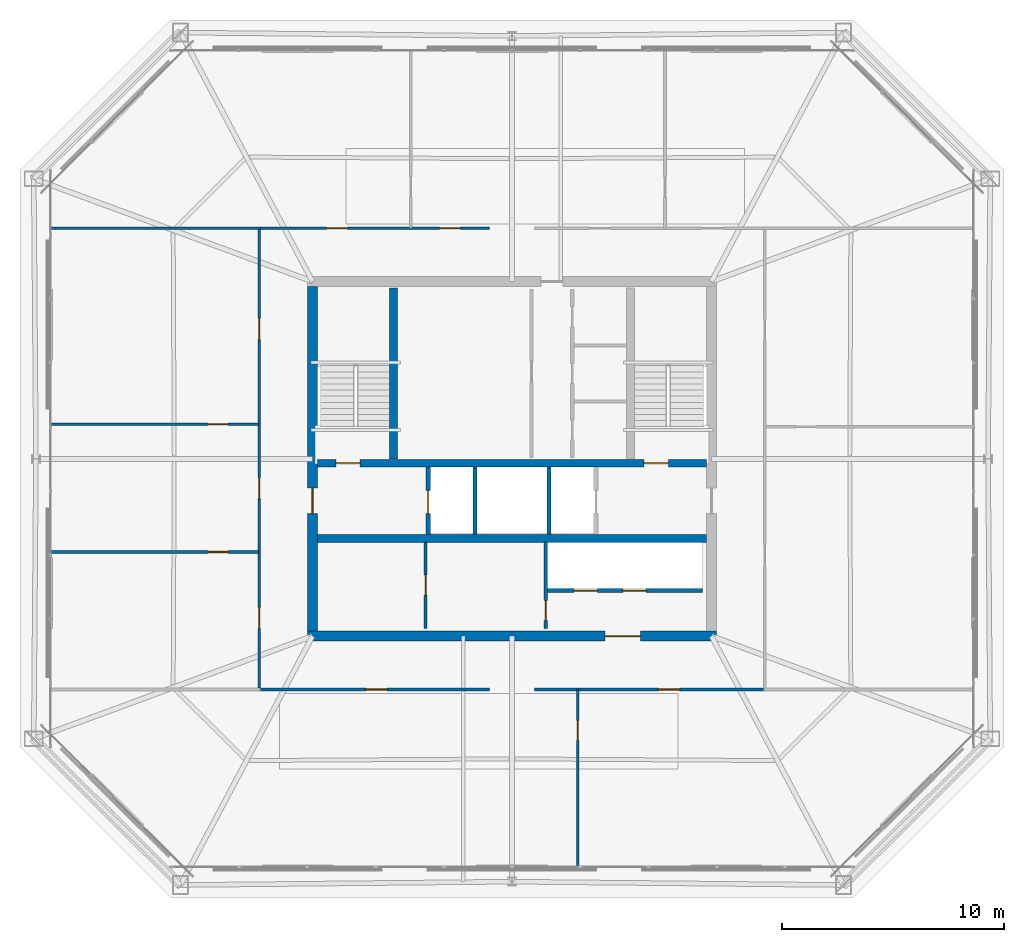
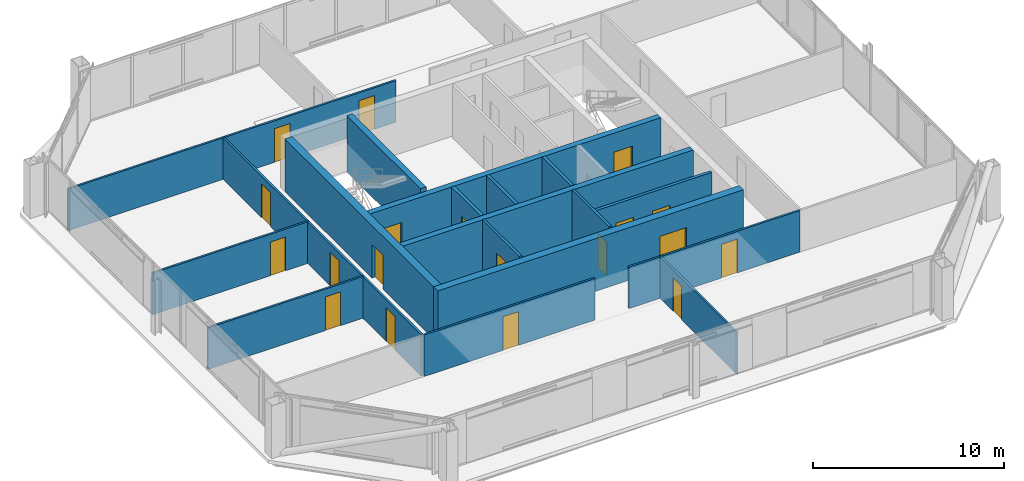
# One storey, part 35 of 39: 19 doors, 19 walls, 19 openings.
"""IFC4 building model written with IfcOpenShell, lengths in metres."""

from ifc_helpers import new_model, si_unit, direction, frame, frame_2d, origin, place, context, subcontext, project, spatial, rectangle, extrude, material, layer, layer_set, type_object, element, fill, save


model = new_model("IFC4")

# Units and contexts
model_context = context("Model", 3, precision=1e-05, world=origin(), true_north=direction((0.0, 1.0)))
body_context = subcontext(model_context, "Body", "Model", "MODEL_VIEW")
ifc_project = project(units=[si_unit("LENGTHUNIT", "METRE"), si_unit("AREAUNIT", "SQUARE_METRE"), si_unit("VOLUMEUNIT", "CUBIC_METRE"), si_unit("PLANEANGLEUNIT", "RADIAN"), si_unit("MASSUNIT", "GRAM", prefix="KILO")], contexts=[model_context])

# Site, building, storey
site_placement = place(None, origin())
site = spatial("IfcSite", under=ifc_project, at=site_placement, CompositionType="ELEMENT")
building_placement = place(site_placement, origin())
building = spatial("IfcBuilding", under=site, at=building_placement, Name="Caelvoria Tower", CompositionType="ELEMENT")
storey_placement = place(building_placement, frame((0.0, 0.0, 198.60009765625)))
storey = spatial("IfcBuildingStorey", under=building, at=storey_placement, Name="L52", CompositionType="ELEMENT", Elevation=198.60009765625)

# Wall, openings, doors
ifc_material_1 = material(Name="Concrete C50/60", Category="concrete")
ifc_layer_1 = layer(ifc_material_1, 0.35009765625, Name="Concrete C50/60")
ifc_layer_set_1 = layer_set([ifc_layer_1], Name="Core Internal Shear Wall 350 - Concrete C50/60")
wall_type_1 = type_object("IfcWallType", Name="Core Internal Shear Wall 350", PredefinedType="SHEAR", material=ifc_layer_set_1)
wall_1_placement = place(storey_placement, frame((37.22509765625, 31.800048828125, 0.0), z_axis=(0.0, 0.0, 1.0), x_axis=(1.0, 0.0, 0.0)))
wall_1 = element("IfcWall", 1, at=wall_1_placement, inside=storey, type_object=wall_type_1, Name="Core Shear Wall L52 M1", PredefinedType="SHEAR", context=body_context, shape_type="SweptSolid", body=[
    extrude(rectangle(XDim=17.5498046875, YDim=0.35009765625, at=frame_2d((8.77490234375, 0.0))), origin(), (0.0, 0.0, 1.0), 3.35986328125),
])
opening_1_placement = place(wall_1_placement, frame((0.824951171875, 0.0, 0.0)))
opening_1 = element("IfcOpeningElement", 2, at=opening_1_placement, cuts=wall_1, Name="Opening ID-01", PredefinedType="OPENING", context=body_context, shape_type="SweptSolid", body=[
    extrude(rectangle(XDim=1.10009765625, YDim=2.14990234375, at=frame_2d((0.550048828125, 1.074951171875))), frame((0.0, 0.18505859375, 0.0), z_axis=(0.0, -1.0, 0.0), x_axis=(1.0, 0.0, 0.0)), (0.0, 0.0, 1.0), 0.3701171875),
])
opening_2_placement = place(wall_1_placement, frame((14.72509765625, 0.0, 0.0)))
opening_2 = element("IfcOpeningElement", 3, at=opening_2_placement, cuts=wall_1, Name="Opening ID-01", PredefinedType="OPENING", context=body_context, shape_type="SweptSolid", body=[
    extrude(rectangle(XDim=1.10009765625, YDim=2.14990234375, at=frame_2d((0.550048828125, 1.074951171875))), frame((0.0, 0.18505859375, 0.0), z_axis=(0.0, -1.0, 0.0), x_axis=(1.0, 0.0, 0.0)), (0.0, 0.0, 1.0), 0.3701171875),
])
ifc_material_2 = material(Name="Painted Hollow Steel Fire Door", Category="steel")
door_type_1 = type_object("IfcDoorType", Name="Fire Door FD90S 1100x2150", OperationType="NOTDEFINED", PredefinedType="DOOR", material=ifc_material_2)
door_1_placement = place(opening_1_placement, origin())
door_1 = element("IfcDoor", 4, at=door_1_placement, inside=storey, type_object=door_type_1, Name="Core Door DR-L52-ST1", OperationType="SINGLE_SWING_LEFT", OverallHeight=2.14990234375, OverallWidth=1.10009765625, PredefinedType="DOOR", context=body_context, shape_type="SweptSolid", body=[
    extrude(rectangle(XDim=1.10009765625, YDim=2.14990234375, at=frame_2d((0.550048828125, 1.074951171875))), frame((0.0, 0.02490234375, 0.0), z_axis=(0.0, -1.0, 0.0), x_axis=(1.0, 0.0, 0.0)), (0.0, 0.0, 1.0), 0.050048828125),
])
fill(opening_1, door_1)
door_2_placement = place(opening_2_placement, origin())
door_2 = element("IfcDoor", 5, at=door_2_placement, inside=storey, type_object=door_type_1, Name="Core Door DR-L52-ST2", OperationType="SINGLE_SWING_RIGHT", OverallHeight=2.14990234375, OverallWidth=1.10009765625, PredefinedType="DOOR", context=body_context, shape_type="SweptSolid", body=[
    extrude(rectangle(XDim=1.10009765625, YDim=2.14990234375, at=frame_2d((0.550048828125, 1.074951171875))), frame((0.0, 0.02490234375, 0.0), z_axis=(0.0, -1.0, 0.0), x_axis=(1.0, 0.0, 0.0)), (0.0, 0.0, 1.0), 0.050048828125),
])
fill(opening_2, door_2)

# Walls
wall_2_placement = place(storey_placement, frame((37.22509765625, 28.39990234375, 0.0), z_axis=(0.0, 0.0, 1.0), x_axis=(1.0, 0.0, 0.0)))
element("IfcWall", 6, at=wall_2_placement, inside=storey, type_object=wall_type_1, Name="Core Shear Wall L52 M2", PredefinedType="SHEAR", context=body_context, shape_type="SweptSolid", body=[
    extrude(rectangle(XDim=17.5498046875, YDim=0.35009765625, at=frame_2d((8.77490234375, 0.0))), origin(), (0.0, 0.0, 1.0), 3.35986328125),
])
wall_3_placement = place(storey_placement, frame((40.64990234375, 32.0, 0.0), z_axis=(0.0, 0.0, 1.0), x_axis=(0.0, 1.0, 0.0)))
element("IfcWall", 7, at=wall_3_placement, inside=storey, type_object=wall_type_1, Name="Interior Partition IW-L52-ST1E", PredefinedType="SHEAR", context=body_context, shape_type="SweptSolid", body=[
    extrude(rectangle(XDim=7.699951171875, YDim=0.35009765625, at=frame_2d((3.85009765625, 0.0))), origin(), (0.0, 0.0, 1.0), 3.599853515625),
])

# Wall, opening, door
ifc_material_3 = material(Name="Double Gypsum Board on Steel Stud", Category="steel")
ifc_layer_2 = layer(ifc_material_3, 0.14990234375, Name="Double Gypsum Board on Steel Stud")
ifc_layer_set_2 = layer_set([ifc_layer_2], Name="Core Service Acoustic Partition Wall 150 - Double Gypsum Board on Steel Stud")
wall_type_2 = type_object("IfcWallType", Name="Core Service Acoustic Partition Wall 150", PredefinedType="PARTITIONING", material=ifc_layer_set_2)
wall_4_placement = place(storey_placement, frame((42.10009765625, 24.35009765625, 0.0), z_axis=(0.0, 0.0, 1.0), x_axis=(0.0, 1.0, 0.0)))
wall_4 = element("IfcWall", 8, at=wall_4_placement, inside=storey, type_object=wall_type_2, Name="Interior Partition IW-L52-RECL-MID", PredefinedType="PARTITIONING", context=body_context, shape_type="SweptSolid", body=[
    extrude(rectangle(XDim=3.89990234375, YDim=0.14990234375, at=frame_2d((1.949951171875, 0.0))), origin(), (0.0, 0.0, 1.0), 3.375),
])
opening_3_placement = place(wall_4_placement, frame((1.5, 0.0, 0.0)))
opening_3 = element("IfcOpeningElement", 9, at=opening_3_placement, cuts=wall_4, Name="Opening ID-06", PredefinedType="OPENING", context=body_context, shape_type="SweptSolid", body=[
    extrude(rectangle(XDim=0.89990234375, YDim=2.14990234375, at=frame_2d((0.449951171875, 1.074951171875))), frame((0.0, 0.0849609375, 0.0), z_axis=(0.0, -1.0, 0.0), x_axis=(1.0, 0.0, 0.0)), (0.0, 0.0, 1.0), 0.169921875),
])
ifc_material_4 = material(Name="Engineered Andean Oak Veneer Door", Category="wood")
door_type_2 = type_object("IfcDoorType", Name="Interior Timber Door 900x2150", OperationType="NOTDEFINED", PredefinedType="DOOR", material=ifc_material_4)
door_3_placement = place(opening_3_placement, origin())
door_3 = element("IfcDoor", 10, at=door_3_placement, inside=storey, type_object=door_type_2, Name="Interior Door DR-L52-RECL12", OperationType="SINGLE_SWING_LEFT", OverallHeight=2.14990234375, OverallWidth=0.89990234375, PredefinedType="DOOR", context=body_context, shape_type="SweptSolid", body=[
    extrude(rectangle(XDim=0.89990234375, YDim=2.14990234375, at=frame_2d((0.449951171875, 1.074951171875))), frame((0.0, 0.02490234375, 0.0), z_axis=(0.0, -1.0, 0.0), x_axis=(1.0, 0.0, 0.0)), (0.0, 0.0, 1.0), 0.050048828125),
])
fill(opening_3, door_3)

wall_5_placement = place(storey_placement, frame((47.52001953125, 24.35009765625, 0.0), z_axis=(0.0, 0.0, 1.0), x_axis=(0.0, 1.0, 0.0)))
wall_5 = element("IfcWall", 11, at=wall_5_placement, inside=storey, type_object=wall_type_2, Name="Interior Partition IW-L52-RECL2E", PredefinedType="PARTITIONING", context=body_context, shape_type="SweptSolid", body=[
    extrude(rectangle(XDim=3.89990234375, YDim=0.14990234375, at=frame_2d((1.949951171875, 0.0))), origin(), (0.0, 0.0, 1.0), 3.375),
])
opening_4_placement = place(wall_5_placement, frame((0.35009765625, 0.0, 0.0)))
opening_4 = element("IfcOpeningElement", 12, at=opening_4_placement, cuts=wall_5, Name="Opening ID-04", PredefinedType="OPENING", context=body_context, shape_type="SweptSolid", body=[
    extrude(rectangle(XDim=0.89990234375, YDim=2.14990234375, at=frame_2d((0.449951171875, 1.074951171875))), frame((0.0, 0.0849609375, 0.0), z_axis=(0.0, -1.0, 0.0), x_axis=(1.0, 0.0, 0.0)), (0.0, 0.0, 1.0), 0.169921875),
])
ifc_material_5 = material(Name="Acoustic Timber Fire Door", Category="wood")
door_type_3 = type_object("IfcDoorType", Name="Fire Door FD30S 900x2150", OperationType="NOTDEFINED", PredefinedType="DOOR", material=ifc_material_5)
door_4_placement = place(opening_4_placement, origin())
door_4 = element("IfcDoor", 13, at=door_4_placement, inside=storey, type_object=door_type_3, Name="Interior Door DR-L52-RECL2", OperationType="SINGLE_SWING_RIGHT", OverallHeight=2.14990234375, OverallWidth=0.89990234375, PredefinedType="DOOR", context=body_context, shape_type="SweptSolid", body=[
    extrude(rectangle(XDim=0.89990234375, YDim=2.14990234375, at=frame_2d((0.449951171875, 1.074951171875))), frame((0.0, 0.02490234375, 0.0), z_axis=(0.0, -1.0, 0.0), x_axis=(1.0, 0.0, 0.0)), (0.0, 0.0, 1.0), 0.050048828125),
])
fill(opening_4, door_4)

# Walls
ifc_material_6 = material(Name="Concrete Block and Fireboard Assembly", Category="concrete")
ifc_layer_3 = layer(ifc_material_6, 0.179931640625, Name="Concrete Block and Fireboard Assembly")
ifc_layer_set_3 = layer_set([ifc_layer_3], Name="Fire-Rated Hoistway Partition Wall 180 - Concrete Block and Fireboard Assembly")
wall_type_3 = type_object("IfcWallType", Name="Fire-Rated Hoistway Partition Wall 180", PredefinedType="PARTITIONING", material=ifc_layer_set_3)
for number, where, z_axis, x_axis, name in (
    (14, (44.320068359375, 28.580078125, 0.0), (0.0, 0.0, 1.0), (0.0, 1.0, 0.0), "Interior Partition IW-L52-SV1W"),
    (15, (47.679931640625, 28.580078125, 0.0), (0.0, 0.0, 1.0), (0.0, 1.0, 0.0), "Interior Partition IW-L52-SV1E"),
):
    element("IfcWall", number, at=place(storey_placement, frame(where, z_axis=z_axis, x_axis=x_axis)), inside=storey, type_object=wall_type_3, Name=name, PredefinedType="PARTITIONING", context=body_context, shape_type="SweptSolid", body=[
        extrude(rectangle(XDim=3.0400390625, YDim=0.179931640625, at=frame_2d((1.52001953125, 0.0))), origin(), (0.0, 0.0, 1.0), 3.375),
    ])

# Wall, openings, doors
wall_6_placement = place(storey_placement, frame((47.60009765625, 26.050048828125, 0.0), z_axis=(0.0, 0.0, 1.0), x_axis=(1.0, 0.0, 0.0)))
wall_6 = element("IfcWall", 16, at=wall_6_placement, inside=storey, type_object=wall_type_3, Name="Interior Partition IW-L52-LFRONT", PredefinedType="PARTITIONING", context=body_context, shape_type="SweptSolid", body=[
    extrude(rectangle(XDim=7.0, YDim=0.179931640625, at=frame_2d((3.5, 0.0))), origin(), (0.0, 0.0, 1.0), 3.375),
])
opening_5_placement = place(wall_6_placement, frame((1.199951171875, 0.0, 0.0)))
opening_5 = element("IfcOpeningElement", 17, at=opening_5_placement, cuts=wall_6, Name="Opening LD-01", PredefinedType="OPENING", context=body_context, shape_type="SweptSolid", body=[
    extrude(rectangle(XDim=1.050048828125, YDim=2.14990234375, at=frame_2d((0.52490234375, 1.074951171875))), frame((0.0, 0.099853515625, 0.0), z_axis=(0.0, -1.0, 0.0), x_axis=(1.0, 0.0, 0.0)), (0.0, 0.0, 1.0), 0.199951171875),
])
opening_6_placement = place(wall_6_placement, frame((3.39990234375, 0.0, 0.0)))
opening_6 = element("IfcOpeningElement", 18, at=opening_6_placement, cuts=wall_6, Name="Opening LD-01", PredefinedType="OPENING", context=body_context, shape_type="SweptSolid", body=[
    extrude(rectangle(XDim=1.050048828125, YDim=2.14990234375, at=frame_2d((0.52490234375, 1.074951171875))), frame((0.0, 0.099853515625, 0.0), z_axis=(0.0, -1.0, 0.0), x_axis=(1.0, 0.0, 0.0)), (0.0, 0.0, 1.0), 0.199951171875),
])
ifc_material_7 = material(Name="Brushed Bronze Stainless Sliding Landing Door", Category="aluminium")
door_type_4 = type_object("IfcDoorType", Name="Lift Landing Sliding Door 1100x2150", OperationType="NOTDEFINED", PredefinedType="DOOR", material=ifc_material_7)
door_5_placement = place(opening_5_placement, origin())
door_5 = element("IfcDoor", 19, at=door_5_placement, inside=storey, type_object=door_type_4, Name="Interior Door LD-L52-PH1", OperationType="SLIDING_TO_LEFT", OverallHeight=2.14990234375, OverallWidth=1.050048828125, PredefinedType="DOOR", context=body_context, shape_type="SweptSolid", body=[
    extrude(rectangle(XDim=1.050048828125, YDim=2.14990234375, at=frame_2d((0.52490234375, 1.074951171875))), frame((0.0, 0.02490234375, 0.0), z_axis=(0.0, -1.0, 0.0), x_axis=(1.0, 0.0, 0.0)), (0.0, 0.0, 1.0), 0.050048828125),
])
fill(opening_5, door_5)
door_6_placement = place(opening_6_placement, origin())
door_6 = element("IfcDoor", 20, at=door_6_placement, inside=storey, type_object=door_type_4, Name="Interior Door LD-L52-PH2", OperationType="SLIDING_TO_RIGHT", OverallHeight=2.14990234375, OverallWidth=1.050048828125, PredefinedType="DOOR", context=body_context, shape_type="SweptSolid", body=[
    extrude(rectangle(XDim=1.050048828125, YDim=2.14990234375, at=frame_2d((0.52490234375, 1.074951171875))), frame((0.0, 0.02490234375, 0.0), z_axis=(0.0, -1.0, 0.0), x_axis=(1.0, 0.0, 0.0)), (0.0, 0.0, 1.0), 0.050048828125),
])
fill(opening_6, door_6)

# Wall, opening, door
ifc_layer_4 = layer(ifc_material_6, 0.199951171875, Name="Concrete Block and Fireboard Assembly")
ifc_layer_set_4 = layer_set([ifc_layer_4], Name="Fire-Rated Shaft and Core Partition Wall 200 - Concrete Block and Fireboard Assembly")
wall_type_4 = type_object("IfcWallType", Name="Fire-Rated Shaft and Core Partition Wall 200", PredefinedType="PARTITIONING", material=ifc_layer_set_4)
wall_7_placement = place(storey_placement, frame((42.219970703125, 28.580078125, 0.0), z_axis=(0.0, 0.0, 1.0), x_axis=(0.0, 1.0, 0.0)))
wall_7 = element("IfcWall", 21, at=wall_7_placement, inside=storey, type_object=wall_type_4, Name="Interior Partition IW-L52-LF1W", PredefinedType="PARTITIONING", context=body_context, shape_type="SweptSolid", body=[
    extrude(rectangle(XDim=3.0400390625, YDim=0.199951171875, at=frame_2d((1.52001953125, 0.0))), origin(), (0.0, 0.0, 1.0), 3.375),
])
opening_7_placement = place(wall_7_placement, frame((0.949951171875, 0.0, 0.0)))
opening_7 = element("IfcOpeningElement", 22, at=opening_7_placement, cuts=wall_7, Name="Opening LD-01", PredefinedType="OPENING", context=body_context, shape_type="SweptSolid", body=[
    extrude(rectangle(XDim=1.050048828125, YDim=2.14990234375, at=frame_2d((0.52490234375, 1.074951171875))), frame((0.0, 0.10986328125, 0.0), z_axis=(0.0, -1.0, 0.0), x_axis=(1.0, 0.0, 0.0)), (0.0, 0.0, 1.0), 0.219970703125),
])
door_7_placement = place(opening_7_placement, origin())
door_7 = element("IfcDoor", 23, at=door_7_placement, inside=storey, type_object=door_type_4, Name="Interior Door LD-L52-LF1", OperationType="SLIDING_TO_LEFT", OverallHeight=2.14990234375, OverallWidth=1.050048828125, PredefinedType="DOOR", context=body_context, shape_type="SweptSolid", body=[
    extrude(rectangle(XDim=1.050048828125, YDim=2.14990234375, at=frame_2d((0.52490234375, 1.074951171875))), frame((0.0, 0.02490234375, 0.0), z_axis=(0.0, -1.0, 0.0), x_axis=(1.0, 0.0, 0.0)), (0.0, 0.0, 1.0), 0.050048828125),
])
fill(opening_7, door_7)

ifc_material_8 = material(Name="Acoustic Gypsum Board on Light-Gauge Stud", Category="gypsum")
ifc_layer_5 = layer(ifc_material_8, 0.1201171875, Name="Acoustic Gypsum Board on Light-Gauge Stud")
ifc_layer_set_5 = layer_set([ifc_layer_5], Name="Tenant Suite Acoustic Partition Wall 120 - Acoustic Gypsum Board on Light-Gauge Stud")
wall_type_5 = type_object("IfcWallType", Name="Tenant Suite Acoustic Partition Wall 120", PredefinedType="PARTITIONING", material=ifc_layer_set_5)
wall_8_placement = place(storey_placement, frame((48.959228515625, 21.590087890625, 0.0), z_axis=(0.0, 0.0, 1.0), x_axis=(0.0, -1.0, 0.0)))
wall_8 = element("IfcWall", 24, at=wall_8_placement, inside=storey, type_object=wall_type_5, Name="Interior Partition IW-L52-SD-00-0", PredefinedType="PARTITIONING", context=body_context, shape_type="SweptSolid", body=[
    extrude(rectangle(XDim=8.010009765625, YDim=0.1201171875, at=frame_2d((4.0048828125, 0.0))), origin(), (0.0, 0.0, 1.0), 2.65478515625),
])
opening_8_placement = place(wall_8_placement, frame((1.39990234375, 0.0, 0.0)))
opening_8 = element("IfcOpeningElement", 25, at=opening_8_placement, cuts=wall_8, Name="Opening ID-06", PredefinedType="OPENING", context=body_context, shape_type="SweptSolid", body=[
    extrude(rectangle(XDim=0.89990234375, YDim=2.14990234375, at=frame_2d((0.449951171875, 1.074951171875))), frame((0.0, 0.070068359375, 0.0), z_axis=(0.0, -1.0, 0.0), x_axis=(1.0, 0.0, 0.0)), (0.0, 0.0, 1.0), 0.14013671875),
])
door_8_placement = place(opening_8_placement, origin())
door_8 = element("IfcDoor", 26, at=door_8_placement, inside=storey, type_object=door_type_2, Name="Interior Door DR-L52-SM-00-0", OperationType="SINGLE_SWING_RIGHT", OverallHeight=2.14990234375, OverallWidth=0.89990234375, PredefinedType="DOOR", context=body_context, shape_type="SweptSolid", body=[
    extrude(rectangle(XDim=0.89990234375, YDim=2.14990234375, at=frame_2d((0.449951171875, 1.074951171875))), frame((0.0, 0.02490234375, 0.0), z_axis=(0.0, -1.0, 0.0), x_axis=(1.0, 0.0, 0.0)), (0.0, 0.0, 1.0), 0.050048828125),
])
fill(opening_8, door_8)

wall_9_placement = place(storey_placement, frame((34.64990234375, 21.590087890625, 0.0), z_axis=(0.0, 0.0, 1.0), x_axis=(1.0, 0.0, 0.0)))
wall_9 = element("IfcWall", 27, at=wall_9_placement, inside=storey, type_object=wall_type_5, Name="Interior Partition IW-L52-SCW-0", PredefinedType="PARTITIONING", context=body_context, shape_type="SweptSolid", body=[
    extrude(rectangle(XDim=10.330078125, YDim=0.1201171875, at=frame_2d((5.1650390625, 0.0))), origin(), (0.0, 0.0, 1.0), 2.65478515625),
])
opening_9_placement = place(wall_9_placement, frame((4.760009765625, 0.0, 0.0)))
opening_9 = element("IfcOpeningElement", 28, at=opening_9_placement, cuts=wall_9, Name="Opening ID-05", PredefinedType="OPENING", context=body_context, shape_type="SweptSolid", body=[
    extrude(rectangle(XDim=0.949951171875, YDim=2.14990234375, at=frame_2d((0.47509765625, 1.074951171875))), frame((0.0, 0.070068359375, 0.0), z_axis=(0.0, -1.0, 0.0), x_axis=(1.0, 0.0, 0.0)), (0.0, 0.0, 1.0), 0.14013671875),
])
door_type_5 = type_object("IfcDoorType", Name="Interior Timber Door 950x2150", OperationType="NOTDEFINED", PredefinedType="DOOR", material=ifc_material_4)
door_9_placement = place(opening_9_placement, origin())
door_9 = element("IfcDoor", 29, at=door_9_placement, inside=storey, type_object=door_type_5, Name="Interior Door DR-L52-SC-00-0", OperationType="SINGLE_SWING_LEFT", OverallHeight=2.14990234375, OverallWidth=0.949951171875, PredefinedType="DOOR", context=body_context, shape_type="SweptSolid", body=[
    extrude(rectangle(XDim=0.949951171875, YDim=2.14990234375, at=frame_2d((0.47509765625, 1.074951171875))), frame((0.0, 0.02490234375, 0.0), z_axis=(0.0, -1.0, 0.0), x_axis=(1.0, 0.0, 0.0)), (0.0, 0.0, 1.0), 0.050048828125),
])
fill(opening_9, door_9)

wall_10_placement = place(storey_placement, frame((47.02001953125, 21.590087890625, 0.0), z_axis=(0.0, 0.0, 1.0), x_axis=(1.0, 0.0, 0.0)))
wall_10 = element("IfcWall", 30, at=wall_10_placement, inside=storey, type_object=wall_type_5, Name="Interior Partition IW-L52-SCW-1", PredefinedType="PARTITIONING", context=body_context, shape_type="SweptSolid", body=[
    extrude(rectangle(XDim=10.330078125, YDim=0.1201171875, at=frame_2d((5.1650390625, 0.0))), origin(), (0.0, 0.0, 1.0), 2.65478515625),
])
opening_10_placement = place(wall_10_placement, frame((5.589599609375, 0.0, 0.0)))
opening_10 = element("IfcOpeningElement", 31, at=opening_10_placement, cuts=wall_10, Name="Opening ID-05", PredefinedType="OPENING", context=body_context, shape_type="SweptSolid", body=[
    extrude(rectangle(XDim=0.949951171875, YDim=2.14990234375, at=frame_2d((0.47509765625, 1.074951171875))), frame((0.0, 0.070068359375, 0.0), z_axis=(0.0, -1.0, 0.0), x_axis=(1.0, 0.0, 0.0)), (0.0, 0.0, 1.0), 0.14013671875),
])
door_10_placement = place(opening_10_placement, origin())
door_10 = element("IfcDoor", 32, at=door_10_placement, inside=storey, type_object=door_type_5, Name="Interior Door DR-L52-SC-01-0", OperationType="SINGLE_SWING_RIGHT", OverallHeight=2.14990234375, OverallWidth=0.949951171875, PredefinedType="DOOR", context=body_context, shape_type="SweptSolid", body=[
    extrude(rectangle(XDim=0.949951171875, YDim=2.14990234375, at=frame_2d((0.47509765625, 1.074951171875))), frame((0.0, 0.02490234375, 0.0), z_axis=(0.0, -1.0, 0.0), x_axis=(1.0, 0.0, 0.0)), (0.0, 0.0, 1.0), 0.050048828125),
])
fill(opening_10, door_10)

# Wall, openings, doors
wall_11_placement = place(storey_placement, frame((34.64990234375, 42.409912109375, 0.0), z_axis=(0.0, 0.0, 1.0), x_axis=(1.0, 0.0, 0.0)))
wall_11 = element("IfcWall", 33, at=wall_11_placement, inside=storey, type_object=wall_type_5, Name="Interior Partition IW-L52-NCW-0", PredefinedType="PARTITIONING", context=body_context, shape_type="SweptSolid", body=[
    extrude(rectangle(XDim=10.330078125, YDim=0.1201171875, at=frame_2d((5.1650390625, 0.0))), origin(), (0.0, 0.0, 1.0), 2.65478515625),
])
opening_11_placement = place(wall_11_placement, frame((2.98388671875, 0.0, 0.0)))
opening_11 = element("IfcOpeningElement", 34, at=opening_11_placement, cuts=wall_11, Name="Opening ID-05", PredefinedType="OPENING", context=body_context, shape_type="SweptSolid", body=[
    extrude(rectangle(XDim=0.949951171875, YDim=2.14990234375, at=frame_2d((0.47509765625, 1.074951171875))), frame((0.0, 0.070068359375, 0.0), z_axis=(0.0, -1.0, 0.0), x_axis=(1.0, 0.0, 0.0)), (0.0, 0.0, 1.0), 0.14013671875),
])
opening_12_placement = place(wall_11_placement, frame((8.078857421875, 0.0, 0.0)))
opening_12 = element("IfcOpeningElement", 35, at=opening_12_placement, cuts=wall_11, Name="Opening ID-05", PredefinedType="OPENING", context=body_context, shape_type="SweptSolid", body=[
    extrude(rectangle(XDim=0.949951171875, YDim=2.14990234375, at=frame_2d((0.47509765625, 1.074951171875))), frame((0.0, 0.070068359375, 0.0), z_axis=(0.0, -1.0, 0.0), x_axis=(1.0, 0.0, 0.0)), (0.0, 0.0, 1.0), 0.14013671875),
])
door_11_placement = place(opening_11_placement, origin())
door_11 = element("IfcDoor", 36, at=door_11_placement, inside=storey, type_object=door_type_5, Name="Interior Door DR-L52-NC-00-0", OperationType="SINGLE_SWING_LEFT", OverallHeight=2.14990234375, OverallWidth=0.949951171875, PredefinedType="DOOR", context=body_context, shape_type="SweptSolid", body=[
    extrude(rectangle(XDim=0.949951171875, YDim=2.14990234375, at=frame_2d((0.47509765625, 1.074951171875))), frame((0.0, 0.02490234375, 0.0), z_axis=(0.0, -1.0, 0.0), x_axis=(1.0, 0.0, 0.0)), (0.0, 0.0, 1.0), 0.050048828125),
])
fill(opening_11, door_11)
door_12_placement = place(opening_12_placement, origin())
door_12 = element("IfcDoor", 37, at=door_12_placement, inside=storey, type_object=door_type_5, Name="Interior Door DR-L52-NC-01-0", OperationType="SINGLE_SWING_RIGHT", OverallHeight=2.14990234375, OverallWidth=0.949951171875, PredefinedType="DOOR", context=body_context, shape_type="SweptSolid", body=[
    extrude(rectangle(XDim=0.949951171875, YDim=2.14990234375, at=frame_2d((0.47509765625, 1.074951171875))), frame((0.0, 0.02490234375, 0.0), z_axis=(0.0, -1.0, 0.0), x_axis=(1.0, 0.0, 0.0)), (0.0, 0.0, 1.0), 0.050048828125),
])
fill(opening_12, door_12)

# Wall, opening, door
wall_12_placement = place(storey_placement, frame((34.590087890625, 27.797119140625, 0.0), z_axis=(0.0, 0.0, 1.0), x_axis=(-1.0, 0.0, 0.0)))
wall_12 = element("IfcWall", 38, at=wall_12_placement, inside=storey, type_object=wall_type_5, Name="Interior Partition IW-L52-WD-00-0", PredefinedType="PARTITIONING", context=body_context, shape_type="SweptSolid", body=[
    extrude(rectangle(XDim=9.41015625, YDim=0.1201171875, at=frame_2d((4.705078125, 0.0))), origin(), (0.0, 0.0, 1.0), 2.65478515625),
])
opening_13_placement = place(wall_12_placement, frame((1.39990234375, 0.0, 0.0)))
opening_13 = element("IfcOpeningElement", 39, at=opening_13_placement, cuts=wall_12, Name="Opening ID-06", PredefinedType="OPENING", context=body_context, shape_type="SweptSolid", body=[
    extrude(rectangle(XDim=0.89990234375, YDim=2.14990234375, at=frame_2d((0.449951171875, 1.074951171875))), frame((0.0, 0.070068359375, 0.0), z_axis=(0.0, -1.0, 0.0), x_axis=(1.0, 0.0, 0.0)), (0.0, 0.0, 1.0), 0.14013671875),
])
door_13_placement = place(opening_13_placement, origin())
door_13 = element("IfcDoor", 40, at=door_13_placement, inside=storey, type_object=door_type_2, Name="Interior Door DR-L52-WM-00-0", OperationType="SINGLE_SWING_RIGHT", OverallHeight=2.14990234375, OverallWidth=0.89990234375, PredefinedType="DOOR", context=body_context, shape_type="SweptSolid", body=[
    extrude(rectangle(XDim=0.89990234375, YDim=2.14990234375, at=frame_2d((0.449951171875, 1.074951171875))), frame((0.0, 0.02490234375, 0.0), z_axis=(0.0, -1.0, 0.0), x_axis=(1.0, 0.0, 0.0)), (0.0, 0.0, 1.0), 0.050048828125),
])
fill(opening_13, door_13)

wall_13_placement = place(storey_placement, frame((34.590087890625, 33.565673828125, 0.0), z_axis=(0.0, 0.0, 1.0), x_axis=(-1.0, 0.0, 0.0)))
wall_13 = element("IfcWall", 41, at=wall_13_placement, inside=storey, type_object=wall_type_5, Name="Interior Partition IW-L52-WD-01-0", PredefinedType="PARTITIONING", context=body_context, shape_type="SweptSolid", body=[
    extrude(rectangle(XDim=9.41015625, YDim=0.1201171875, at=frame_2d((4.705078125, 0.0))), origin(), (0.0, 0.0, 1.0), 2.65478515625),
])
opening_14_placement = place(wall_13_placement, frame((1.39990234375, 0.0, 0.0)))
opening_14 = element("IfcOpeningElement", 42, at=opening_14_placement, cuts=wall_13, Name="Opening ID-06", PredefinedType="OPENING", context=body_context, shape_type="SweptSolid", body=[
    extrude(rectangle(XDim=0.89990234375, YDim=2.14990234375, at=frame_2d((0.449951171875, 1.074951171875))), frame((0.0, 0.070068359375, 0.0), z_axis=(0.0, -1.0, 0.0), x_axis=(1.0, 0.0, 0.0)), (0.0, 0.0, 1.0), 0.14013671875),
])
door_14_placement = place(opening_14_placement, origin())
door_14 = element("IfcDoor", 43, at=door_14_placement, inside=storey, type_object=door_type_2, Name="Interior Door DR-L52-WM-01-0", OperationType="SINGLE_SWING_LEFT", OverallHeight=2.14990234375, OverallWidth=0.89990234375, PredefinedType="DOOR", context=body_context, shape_type="SweptSolid", body=[
    extrude(rectangle(XDim=0.89990234375, YDim=2.14990234375, at=frame_2d((0.449951171875, 1.074951171875))), frame((0.0, 0.02490234375, 0.0), z_axis=(0.0, -1.0, 0.0), x_axis=(1.0, 0.0, 0.0)), (0.0, 0.0, 1.0), 0.050048828125),
])
fill(opening_14, door_14)

# Wall, openings, doors
wall_14_placement = place(storey_placement, frame((34.590087890625, 21.64990234375, 0.0), z_axis=(0.0, 0.0, 1.0), x_axis=(0.0, 1.0, 0.0)))
wall_14 = element("IfcWall", 44, at=wall_14_placement, inside=storey, type_object=wall_type_5, Name="Interior Partition IW-L52-WCW-0", PredefinedType="PARTITIONING", context=body_context, shape_type="SweptSolid", body=[
    extrude(rectangle(XDim=20.7001953125, YDim=0.1201171875, at=frame_2d((10.35009765625, 0.0))), origin(), (0.0, 0.0, 1.0), 2.65478515625),
])
opening_15_placement = place(wall_14_placement, frame((2.698486328125, 0.0, 0.0)))
opening_15 = element("IfcOpeningElement", 45, at=opening_15_placement, cuts=wall_14, Name="Opening ID-05", PredefinedType="OPENING", context=body_context, shape_type="SweptSolid", body=[
    extrude(rectangle(XDim=0.949951171875, YDim=2.14990234375, at=frame_2d((0.47509765625, 1.074951171875))), frame((0.0, 0.070068359375, 0.0), z_axis=(0.0, -1.0, 0.0), x_axis=(1.0, 0.0, 0.0)), (0.0, 0.0, 1.0), 0.14013671875),
])
opening_16_placement = place(wall_14_placement, frame((8.556396484375, 0.0, 0.0)))
opening_16 = element("IfcOpeningElement", 46, at=opening_16_placement, cuts=wall_14, Name="Opening ID-05", PredefinedType="OPENING", context=body_context, shape_type="SweptSolid", body=[
    extrude(rectangle(XDim=0.949951171875, YDim=2.14990234375, at=frame_2d((0.47509765625, 1.074951171875))), frame((0.0, 0.070068359375, 0.0), z_axis=(0.0, -1.0, 0.0), x_axis=(1.0, 0.0, 0.0)), (0.0, 0.0, 1.0), 0.14013671875),
])
opening_17_placement = place(wall_14_placement, frame((15.73291015625, 0.0, 0.0)))
opening_17 = element("IfcOpeningElement", 47, at=opening_17_placement, cuts=wall_14, Name="Opening ID-05", PredefinedType="OPENING", context=body_context, shape_type="SweptSolid", body=[
    extrude(rectangle(XDim=0.949951171875, YDim=2.14990234375, at=frame_2d((0.47509765625, 1.074951171875))), frame((0.0, 0.070068359375, 0.0), z_axis=(0.0, -1.0, 0.0), x_axis=(1.0, 0.0, 0.0)), (0.0, 0.0, 1.0), 0.14013671875),
])
door_15_placement = place(opening_15_placement, origin())
door_15 = element("IfcDoor", 48, at=door_15_placement, inside=storey, type_object=door_type_5, Name="Interior Door DR-L52-WC-00-0", OperationType="SINGLE_SWING_LEFT", OverallHeight=2.14990234375, OverallWidth=0.949951171875, PredefinedType="DOOR", context=body_context, shape_type="SweptSolid", body=[
    extrude(rectangle(XDim=0.949951171875, YDim=2.14990234375, at=frame_2d((0.47509765625, 1.074951171875))), frame((0.0, 0.02490234375, 0.0), z_axis=(0.0, -1.0, 0.0), x_axis=(1.0, 0.0, 0.0)), (0.0, 0.0, 1.0), 0.050048828125),
])
fill(opening_15, door_15)
door_16_placement = place(opening_16_placement, origin())
door_16 = element("IfcDoor", 49, at=door_16_placement, inside=storey, type_object=door_type_5, Name="Interior Door DR-L52-WC-01-0", OperationType="SINGLE_SWING_RIGHT", OverallHeight=2.14990234375, OverallWidth=0.949951171875, PredefinedType="DOOR", context=body_context, shape_type="SweptSolid", body=[
    extrude(rectangle(XDim=0.949951171875, YDim=2.14990234375, at=frame_2d((0.47509765625, 1.074951171875))), frame((0.0, 0.02490234375, 0.0), z_axis=(0.0, -1.0, 0.0), x_axis=(1.0, 0.0, 0.0)), (0.0, 0.0, 1.0), 0.050048828125),
])
fill(opening_16, door_16)
door_17_placement = place(opening_17_placement, origin())
door_17 = element("IfcDoor", 50, at=door_17_placement, inside=storey, type_object=door_type_5, Name="Interior Door DR-L52-WC-02-0", OperationType="SINGLE_SWING_LEFT", OverallHeight=2.14990234375, OverallWidth=0.949951171875, PredefinedType="DOOR", context=body_context, shape_type="SweptSolid", body=[
    extrude(rectangle(XDim=0.949951171875, YDim=2.14990234375, at=frame_2d((0.47509765625, 1.074951171875))), frame((0.0, 0.02490234375, 0.0), z_axis=(0.0, -1.0, 0.0), x_axis=(1.0, 0.0, 0.0)), (0.0, 0.0, 1.0), 0.050048828125),
])
fill(opening_17, door_17)

# Wall
wall_15_placement = place(storey_placement, frame((34.64990234375, 42.409912109375, 0.0), z_axis=(0.0, 0.0, 1.0), x_axis=(-1.0, 0.0, 0.0)))
element("IfcWall", 51, at=wall_15_placement, inside=storey, type_object=wall_type_5, Name="Interior Partition IW-L52-BNW-0", PredefinedType="PARTITIONING", context=body_context, shape_type="SweptSolid", body=[
    extrude(rectangle(XDim=9.469970703125, YDim=0.1201171875, at=frame_2d((4.73486328125, 0.0))), origin(), (0.0, 0.0, 1.0), 2.65478515625),
])

# Wall, opening, door
ifc_layer_6 = layer(ifc_material_1, 0.449951171875, Name="Concrete C50/60")
ifc_layer_set_6 = layer_set([ifc_layer_6], Name="Upper Core Shear Wall 450 - Concrete C50/60")
wall_type_6 = type_object("IfcWallType", Name="Upper Core Shear Wall 450", PredefinedType="SHEAR", material=ifc_layer_set_6)
wall_16_placement = place(storey_placement, frame((36.77490234375, 24.0, 0.0), z_axis=(0.0, 0.0, 1.0), x_axis=(1.0, 0.0, 0.0)))
wall_16 = element("IfcWall", 52, at=wall_16_placement, inside=storey, type_object=wall_type_6, Name="Core Shear Wall L52 S", PredefinedType="SHEAR", context=body_context, shape_type="SweptSolid", body=[
    extrude(rectangle(XDim=18.4501953125, YDim=0.449951171875, at=frame_2d((9.22509765625, 0.0))), origin(), (0.0, 0.0, 1.0), 3.35986328125),
])
opening_18_placement = place(wall_16_placement, frame((13.425048828125, 0.0, 0.0)))
opening_18 = element("IfcOpeningElement", 53, at=opening_18_placement, cuts=wall_16, Name="Opening ID-08", PredefinedType="OPENING", context=body_context, shape_type="SweptSolid", body=[
    extrude(rectangle(XDim=1.60009765625, YDim=2.14990234375, at=frame_2d((0.800048828125, 1.074951171875))), frame((0.0, 0.23486328125, 0.0), z_axis=(0.0, -1.0, 0.0), x_axis=(1.0, 0.0, 0.0)), (0.0, 0.0, 1.0), 0.469970703125),
])
ifc_material_9 = material(Name="Bronze-Framed Fire-Rated Glazed Double Door", Category="aluminium")
door_type_6 = type_object("IfcDoorType", Name="Double Lobby Glazed Door 1600x2200", OperationType="NOTDEFINED", PredefinedType="DOOR", material=ifc_material_9)
door_18_placement = place(opening_18_placement, origin())
door_18 = element("IfcDoor", 54, at=door_18_placement, inside=storey, type_object=door_type_6, Name="Core Door DR-L52-LLOB-S2", OperationType="DOUBLE_DOOR_SINGLE_SWING", OverallHeight=2.14990234375, OverallWidth=1.60009765625, PredefinedType="DOOR", context=body_context, shape_type="SweptSolid", body=[
    extrude(rectangle(XDim=1.60009765625, YDim=2.14990234375, at=frame_2d((0.800048828125, 1.074951171875))), frame((0.0, 0.02490234375, 0.0), z_axis=(0.0, -1.0, 0.0), x_axis=(1.0, 0.0, 0.0)), (0.0, 0.0, 1.0), 0.050048828125),
])
fill(opening_18, door_18)

wall_17_placement = place(storey_placement, frame((37.0, 24.22509765625, 0.0), z_axis=(0.0, 0.0, 1.0), x_axis=(0.0, 1.0, 0.0)))
wall_17 = element("IfcWall", 55, at=wall_17_placement, inside=storey, type_object=wall_type_6, Name="Core Shear Wall L52 W", PredefinedType="SHEAR", context=body_context, shape_type="SweptSolid", body=[
    extrude(rectangle(XDim=15.5498046875, YDim=0.449951171875, at=frame_2d((7.77490234375, 0.0))), origin(), (0.0, 0.0, 1.0), 3.35986328125),
])
opening_19_placement = place(wall_17_placement, frame((5.300048828125, 0.0, 0.0)))
opening_19 = element("IfcOpeningElement", 56, at=opening_19_placement, cuts=wall_17, Name="Opening ID-02", PredefinedType="OPENING", context=body_context, shape_type="SweptSolid", body=[
    extrude(rectangle(XDim=1.14990234375, YDim=2.14990234375, at=frame_2d((0.574951171875, 1.074951171875))), frame((0.0, 0.23486328125, 0.0), z_axis=(0.0, -1.0, 0.0), x_axis=(1.0, 0.0, 0.0)), (0.0, 0.0, 1.0), 0.469970703125),
])
door_type_7 = type_object("IfcDoorType", Name="Fire Door FD60S 1150x2150", OperationType="NOTDEFINED", PredefinedType="DOOR", material=ifc_material_2)
door_19_placement = place(opening_19_placement, origin())
door_19 = element("IfcDoor", 57, at=door_19_placement, inside=storey, type_object=door_type_7, Name="Core Door DR-L52-FFLW-OUT", OperationType="SINGLE_SWING_LEFT", OverallHeight=2.14990234375, OverallWidth=1.14990234375, PredefinedType="DOOR", context=body_context, shape_type="SweptSolid", body=[
    extrude(rectangle(XDim=1.14990234375, YDim=2.14990234375, at=frame_2d((0.574951171875, 1.074951171875))), frame((0.0, 0.02490234375, 0.0), z_axis=(0.0, -1.0, 0.0), x_axis=(1.0, 0.0, 0.0)), (0.0, 0.0, 1.0), 0.050048828125),
])
fill(opening_19, door_19)

save(model, "model.ifc")
